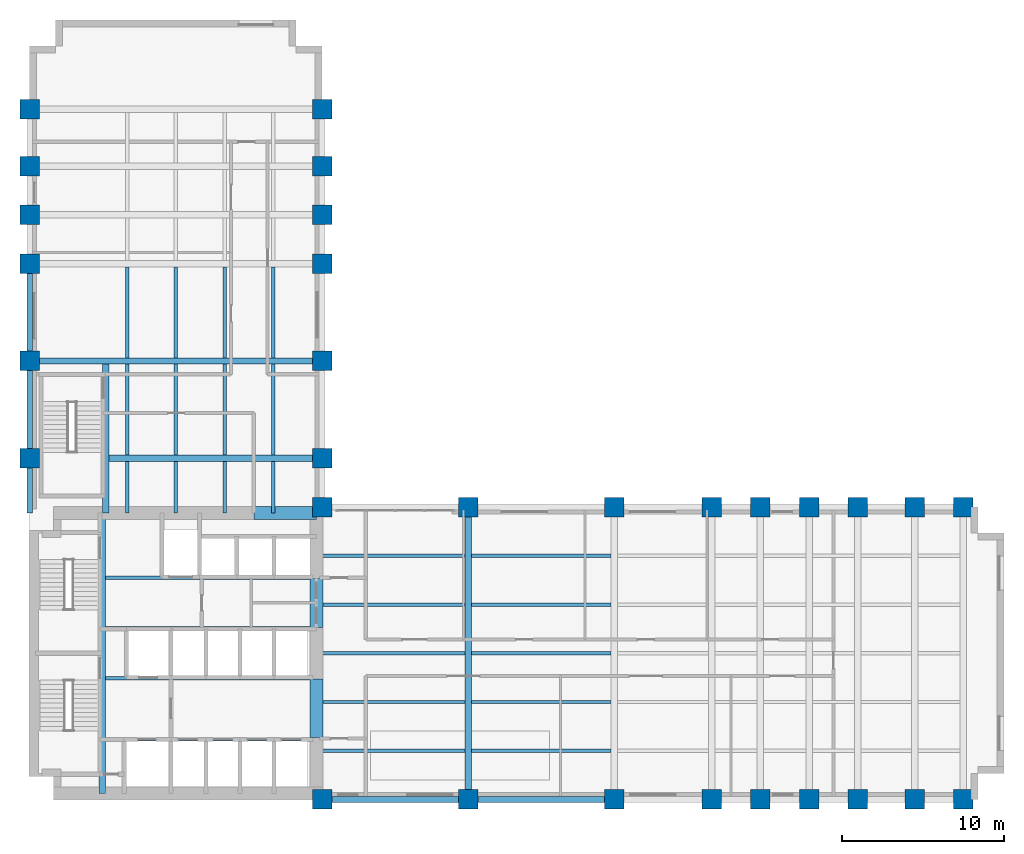
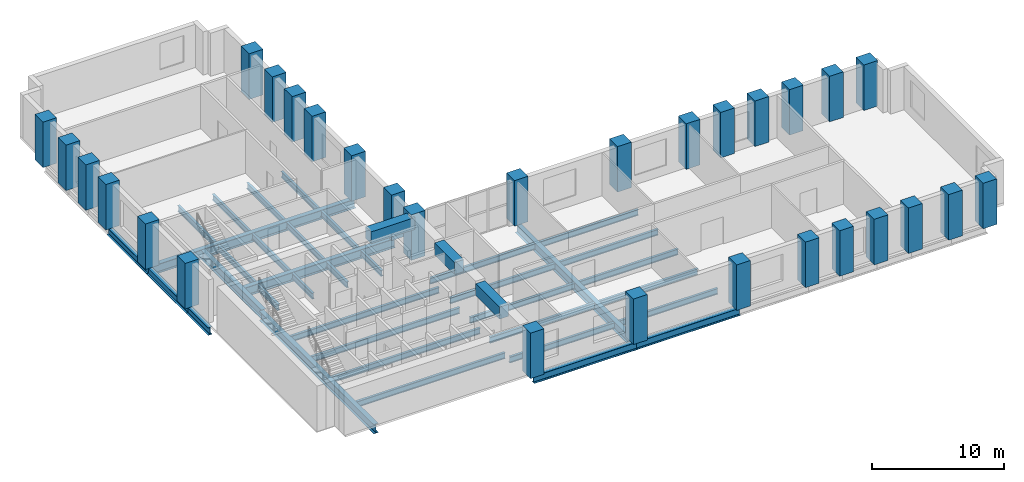
# One storey, part 1 of 9: 39 beams, 30 columns.
"""IFC4 building model written with IfcOpenShell, lengths in metres."""

from ifc_helpers import new_model, si_unit, direction, frame, origin, origin_2d, place, context, subcontext, project, spatial, rectangle, i_section, extrude, material, material_profile, profile_set, type_object, element, save


model = new_model("IFC4")

# Units and contexts
model_context = context("Model", 3, precision=1e-05, world=origin(), true_north=direction((0.0, 1.0)))
body_context = subcontext(model_context, "Body", "Model", "MODEL_VIEW")
ifc_project = project(units=[si_unit("LENGTHUNIT", "METRE"), si_unit("AREAUNIT", "SQUARE_METRE"), si_unit("VOLUMEUNIT", "CUBIC_METRE"), si_unit("PLANEANGLEUNIT", "RADIAN"), si_unit("MASSUNIT", "GRAM", prefix="KILO")], contexts=[model_context])

# Site, building, storey
site_placement = place(None, origin())
site = spatial("IfcSite", under=ifc_project, at=site_placement, CompositionType="ELEMENT")
building_placement = place(site_placement, origin())
building = spatial("IfcBuilding", under=site, at=building_placement, Name="Mawjdan Bourse Tower", CompositionType="ELEMENT")
storey_placement = place(building_placement, frame((0.0, 0.0, 51.0)))
storey = spatial("IfcBuildingStorey", under=building, at=storey_placement, Name="L11", CompositionType="ELEMENT", Elevation=51.0)

# Columns
ifc_material_1 = material(Name="Concrete C80/95", Category="concrete")
ifc_material_profile_1 = material_profile(ifc_material_1, rectangle(XDim=1.199951171875, YDim=1.199951171875, at=origin_2d()), Name="RC1200X1200")
ifc_profile_set_1 = profile_set([ifc_material_profile_1], Name="Concrete C80/95")
column_type = type_object("IfcColumnType", Name="COL-RC1200X1200", PredefinedType="COLUMN", material=ifc_profile_set_1)
for number, where, z_axis, x_axis, name in (
    (1, (24.0, 3.0, 0.0), (0.0, 0.0, 1.0), (1.0, 0.0, 0.0), "L11 Structural Column C-X240-Y30"),
    (2, (24.0, 21.0, 0.0), (0.0, 0.0, 1.0), (1.0, 0.0, 0.0), "L11 Structural Column C-X240-Y210"),
    (3, (33.0, 3.0, 0.0), (0.0, 0.0, 1.0), (1.0, 0.0, 0.0), "L11 Structural Column C-X330-Y30"),
    (4, (33.0, 21.0, 0.0), (0.0, 0.0, 1.0), (1.0, 0.0, 0.0), "L11 Structural Column C-X330-Y210"),
    (5, (42.0, 3.0, 0.0), (0.0, 0.0, 1.0), (1.0, 0.0, 0.0), "L11 Structural Column C-X420-Y30"),
    (6, (42.0, 21.0, 0.0), (0.0, 0.0, 1.0), (1.0, 0.0, 0.0), "L11 Structural Column C-X420-Y210"),
    (7, (48.0, 3.0, 0.0), (0.0, 0.0, 1.0), (1.0, 0.0, 0.0), "L11 Structural Column C-X480-Y30"),
    (8, (48.0, 21.0, 0.0), (0.0, 0.0, 1.0), (1.0, 0.0, 0.0), "L11 Structural Column C-X480-Y210"),
    (9, (51.0, 3.0, 0.0), (0.0, 0.0, 1.0), (1.0, 0.0, 0.0), "L11 Structural Column C-X510-Y30"),
    (10, (51.0, 21.0, 0.0), (0.0, 0.0, 1.0), (1.0, 0.0, 0.0), "L11 Structural Column C-X510-Y210"),
    (11, (54.0, 3.0, 0.0), (0.0, 0.0, 1.0), (1.0, 0.0, 0.0), "L11 Structural Column C-X540-Y30"),
    (12, (54.0, 21.0, 0.0), (0.0, 0.0, 1.0), (1.0, 0.0, 0.0), "L11 Structural Column C-X540-Y210"),
    (13, (57.0, 3.0, 0.0), (0.0, 0.0, 1.0), (1.0, 0.0, 0.0), "L11 Structural Column C-X570-Y30"),
    (14, (57.0, 21.0, 0.0), (0.0, 0.0, 1.0), (1.0, 0.0, 0.0), "L11 Structural Column C-X570-Y210"),
    (15, (60.5, 3.0, 0.0), (0.0, 0.0, 1.0), (1.0, 0.0, 0.0), "L11 Structural Column C-X605-Y30"),
    (16, (60.5, 21.0, 0.0), (0.0, 0.0, 1.0), (1.0, 0.0, 0.0), "L11 Structural Column C-X605-Y210"),
    (17, (63.5, 3.0, 0.0), (0.0, 0.0, 1.0), (1.0, 0.0, 0.0), "L11 Structural Column C-X635-Y30"),
    (18, (63.5, 21.0, 0.0), (0.0, 0.0, 1.0), (1.0, 0.0, 0.0), "L11 Structural Column C-X635-Y210"),
    (19, (6.0, 24.0, 0.0), (0.0, 0.0, 1.0), (1.0, 0.0, 0.0), "L11 Structural Column C-X60-Y240"),
    (20, (24.0, 24.0, 0.0), (0.0, 0.0, 1.0), (1.0, 0.0, 0.0), "L11 Structural Column C-X240-Y240"),
    (21, (6.0, 30.0, 0.0), (0.0, 0.0, 1.0), (1.0, 0.0, 0.0), "L11 Structural Column C-X60-Y300"),
    (22, (24.0, 30.0, 0.0), (0.0, 0.0, 1.0), (1.0, 0.0, 0.0), "L11 Structural Column C-X240-Y300"),
    (23, (6.0, 36.0, 0.0), (0.0, 0.0, 1.0), (1.0, 0.0, 0.0), "L11 Structural Column C-X60-Y360"),
    (24, (24.0, 36.0, 0.0), (0.0, 0.0, 1.0), (1.0, 0.0, 0.0), "L11 Structural Column C-X240-Y360"),
    (25, (6.0, 39.0, 0.0), (0.0, 0.0, 1.0), (1.0, 0.0, 0.0), "L11 Structural Column C-X60-Y390"),
    (26, (24.0, 39.0, 0.0), (0.0, 0.0, 1.0), (1.0, 0.0, 0.0), "L11 Structural Column C-X240-Y390"),
    (27, (6.0, 42.0, 0.0), (0.0, 0.0, 1.0), (1.0, 0.0, 0.0), "L11 Structural Column C-X60-Y420"),
    (28, (24.0, 42.0, 0.0), (0.0, 0.0, 1.0), (1.0, 0.0, 0.0), "L11 Structural Column C-X240-Y420"),
    (29, (6.0, 45.5, 0.0), (0.0, 0.0, 1.0), (1.0, 0.0, 0.0), "L11 Structural Column C-X60-Y455"),
    (30, (24.0, 45.5, 0.0), (0.0, 0.0, 1.0), (1.0, 0.0, 0.0), "L11 Structural Column C-X240-Y455"),
):
    element("IfcColumn", number, at=place(storey_placement, frame(where, z_axis=z_axis, x_axis=x_axis)), inside=storey, type_object=column_type, Name=name, PredefinedType="COLUMN", context=body_context, shape_type="SweptSolid", body=[
        extrude(rectangle(XDim=1.199951171875, YDim=1.199951171875, at=origin_2d()), origin(), (0.0, 0.0, 1.0), 4.199951171875),
    ])

# Beams
ifc_material_2 = material(Name="Structural Steel S355", Category="steel")
ifc_material_profile_2 = material_profile(ifc_material_2, i_section(OverallWidth=0.39892578125, OverallDepth=0.85595703125, WebThickness=0.018310546875, FlangeThickness=0.029296875, FilletRadius=0.0234375, at=origin_2d()), Name="W33X201")
ifc_profile_set_2 = profile_set([ifc_material_profile_2], Name="Structural Steel S355")
beam_type_1 = type_object("IfcBeamType", Name="GRD-W33X201", PredefinedType="BEAM", material=ifc_profile_set_2)
beam_1_placement = place(storey_placement, frame((10.47998046875, 3.35009765625, -0.64794921875), z_axis=(0.0, 1.0, 0.0), x_axis=(-1.0, 0.0, 0.0)))
element("IfcBeam", 31, at=beam_1_placement, inside=storey, type_object=beam_type_1, Name="L11 Core Stair Trimmer Girder 001", PredefinedType="BEAM", context=body_context, shape_type="SweptSolid", body=[
    extrude(i_section(OverallWidth=0.39892578125, OverallDepth=0.85595703125, WebThickness=0.018310546875, FlangeThickness=0.029296875, FilletRadius=0.0234375, at=origin_2d()), origin(), (0.0, 0.0, 1.0), 17.2998046875),
])
beam_2_placement = place(storey_placement, frame((33.0, 3.0, -0.64794921875), z_axis=(0.0, 1.0, 0.0), x_axis=(-1.0, 0.0, 0.0)))
element("IfcBeam", 32, at=beam_2_placement, inside=storey, type_object=beam_type_1, Name="L11 East Wing Clear-Span Girder 002", PredefinedType="BEAM", context=body_context, shape_type="SweptSolid", body=[
    extrude(i_section(OverallWidth=0.39892578125, OverallDepth=0.85595703125, WebThickness=0.018310546875, FlangeThickness=0.029296875, FilletRadius=0.0234375, at=origin_2d()), origin(), (0.0, 0.0, 1.0), 18.0),
])
beam_3_placement = place(storey_placement, frame((10.679931640625, 20.64990234375, -0.64794921875), z_axis=(0.0, 1.0, 0.0), x_axis=(-1.0, 0.0, 0.0)))
element("IfcBeam", 33, at=beam_3_placement, inside=storey, type_object=beam_type_1, Name="L11 North Wing Stair Trimmer Girder 070", PredefinedType="BEAM", context=body_context, shape_type="SweptSolid", body=[
    extrude(i_section(OverallWidth=0.39892578125, OverallDepth=0.85595703125, WebThickness=0.018310546875, FlangeThickness=0.029296875, FilletRadius=0.0234375, at=origin_2d()), origin(), (0.0, 0.0, 1.0), 9.152587890625),
])
beam_4_placement = place(storey_placement, frame((10.87744140625, 24.0, -0.64794921875), z_axis=(1.0, 0.0, 0.0), x_axis=(0.0, 1.0, 0.0)))
element("IfcBeam", 34, at=beam_4_placement, inside=storey, type_object=beam_type_1, Name="L11 North Wing Clear-Span Girder 071", PredefinedType="BEAM", context=body_context, shape_type="SweptSolid", body=[
    extrude(i_section(OverallWidth=0.39892578125, OverallDepth=0.85595703125, WebThickness=0.018310546875, FlangeThickness=0.029296875, FilletRadius=0.0234375, at=origin_2d()), origin(), (0.0, 0.0, 1.0), 13.12255859375),
])
beam_5_placement = place(storey_placement, frame((6.0, 30.0, -0.64794921875), z_axis=(1.0, 0.0, 0.0), x_axis=(0.0, 1.0, 0.0)))
element("IfcBeam", 35, at=beam_5_placement, inside=storey, type_object=beam_type_1, Name="L11 North Wing Clear-Span Girder 072", PredefinedType="BEAM", context=body_context, shape_type="SweptSolid", body=[
    extrude(i_section(OverallWidth=0.39892578125, OverallDepth=0.85595703125, WebThickness=0.018310546875, FlangeThickness=0.029296875, FilletRadius=0.0234375, at=origin_2d()), origin(), (0.0, 0.0, 1.0), 18.0),
])
ifc_material_profile_3 = material_profile(ifc_material_2, i_section(OverallWidth=0.2119140625, OverallDepth=0.5439453125, WebThickness=0.01318359375, FlangeThickness=0.021240234375, FilletRadius=0.01708984375, at=origin_2d()), Name="W21X83")
ifc_profile_set_3 = profile_set([ifc_material_profile_3], Name="Structural Steel S355")
beam_type_2 = type_object("IfcBeamType", Name="JST-W21X83", PredefinedType="JOIST", material=ifc_profile_set_3)
beam_6_placement = place(storey_placement, frame((23.64990234375, 6.0, -0.491943359375), z_axis=(1.0, 0.0, 0.0), x_axis=(0.0, 1.0, 0.0)))
element("IfcBeam", 36, at=beam_6_placement, inside=storey, type_object=beam_type_2, Name="L11 East Wing Composite Joist 026", PredefinedType="JOIST", context=body_context, shape_type="SweptSolid", body=[
    extrude(i_section(OverallWidth=0.2119140625, OverallDepth=0.5439453125, WebThickness=0.01318359375, FlangeThickness=0.021240234375, FilletRadius=0.01708984375, at=origin_2d()), origin(), (0.0, 0.0, 1.0), 9.152587890625),
])
beam_7_placement = place(storey_placement, frame((33.197509765625, 6.0, -0.491943359375), z_axis=(1.0, 0.0, 0.0), x_axis=(0.0, 1.0, 0.0)))
element("IfcBeam", 37, at=beam_7_placement, inside=storey, type_object=beam_type_2, Name="L11 East Wing Composite Joist 027", PredefinedType="JOIST", context=body_context, shape_type="SweptSolid", body=[
    extrude(i_section(OverallWidth=0.2119140625, OverallDepth=0.5439453125, WebThickness=0.01318359375, FlangeThickness=0.021240234375, FilletRadius=0.01708984375, at=origin_2d()), origin(), (0.0, 0.0, 1.0), 8.60498046875),
])
beam_8_placement = place(storey_placement, frame((23.64990234375, 9.0, -0.491943359375), z_axis=(1.0, 0.0, 0.0), x_axis=(0.0, 1.0, 0.0)))
element("IfcBeam", 38, at=beam_8_placement, inside=storey, type_object=beam_type_2, Name="L11 East Wing Composite Joist 034", PredefinedType="JOIST", context=body_context, shape_type="SweptSolid", body=[
    extrude(i_section(OverallWidth=0.2119140625, OverallDepth=0.5439453125, WebThickness=0.01318359375, FlangeThickness=0.021240234375, FilletRadius=0.01708984375, at=origin_2d()), origin(), (0.0, 0.0, 1.0), 9.152587890625),
])
beam_9_placement = place(storey_placement, frame((33.197509765625, 9.0, -0.491943359375), z_axis=(1.0, 0.0, 0.0), x_axis=(0.0, 1.0, 0.0)))
element("IfcBeam", 39, at=beam_9_placement, inside=storey, type_object=beam_type_2, Name="L11 East Wing Composite Joist 035", PredefinedType="JOIST", context=body_context, shape_type="SweptSolid", body=[
    extrude(i_section(OverallWidth=0.2119140625, OverallDepth=0.5439453125, WebThickness=0.01318359375, FlangeThickness=0.021240234375, FilletRadius=0.01708984375, at=origin_2d()), origin(), (0.0, 0.0, 1.0), 8.60498046875),
])
beam_10_placement = place(storey_placement, frame((23.64990234375, 12.0, -0.491943359375), z_axis=(1.0, 0.0, 0.0), x_axis=(0.0, 1.0, 0.0)))
element("IfcBeam", 40, at=beam_10_placement, inside=storey, type_object=beam_type_2, Name="L11 East Wing Composite Joist 042", PredefinedType="JOIST", context=body_context, shape_type="SweptSolid", body=[
    extrude(i_section(OverallWidth=0.2119140625, OverallDepth=0.5439453125, WebThickness=0.01318359375, FlangeThickness=0.021240234375, FilletRadius=0.01708984375, at=origin_2d()), origin(), (0.0, 0.0, 1.0), 9.152587890625),
])
beam_11_placement = place(storey_placement, frame((33.197509765625, 12.0, -0.491943359375), z_axis=(1.0, 0.0, 0.0), x_axis=(0.0, 1.0, 0.0)))
element("IfcBeam", 41, at=beam_11_placement, inside=storey, type_object=beam_type_2, Name="L11 East Wing Composite Joist 043", PredefinedType="JOIST", context=body_context, shape_type="SweptSolid", body=[
    extrude(i_section(OverallWidth=0.2119140625, OverallDepth=0.5439453125, WebThickness=0.01318359375, FlangeThickness=0.021240234375, FilletRadius=0.01708984375, at=origin_2d()), origin(), (0.0, 0.0, 1.0), 8.60498046875),
])
beam_12_placement = place(storey_placement, frame((23.64990234375, 15.0, -0.491943359375), z_axis=(1.0, 0.0, 0.0), x_axis=(0.0, 1.0, 0.0)))
element("IfcBeam", 42, at=beam_12_placement, inside=storey, type_object=beam_type_2, Name="L11 East Wing Composite Joist 050", PredefinedType="JOIST", context=body_context, shape_type="SweptSolid", body=[
    extrude(i_section(OverallWidth=0.2119140625, OverallDepth=0.5439453125, WebThickness=0.01318359375, FlangeThickness=0.021240234375, FilletRadius=0.01708984375, at=origin_2d()), origin(), (0.0, 0.0, 1.0), 9.152587890625),
])
beam_13_placement = place(storey_placement, frame((33.197509765625, 15.0, -0.491943359375), z_axis=(1.0, 0.0, 0.0), x_axis=(0.0, 1.0, 0.0)))
element("IfcBeam", 43, at=beam_13_placement, inside=storey, type_object=beam_type_2, Name="L11 East Wing Composite Joist 051", PredefinedType="JOIST", context=body_context, shape_type="SweptSolid", body=[
    extrude(i_section(OverallWidth=0.2119140625, OverallDepth=0.5439453125, WebThickness=0.01318359375, FlangeThickness=0.021240234375, FilletRadius=0.01708984375, at=origin_2d()), origin(), (0.0, 0.0, 1.0), 8.60498046875),
])
beam_14_placement = place(storey_placement, frame((23.64990234375, 18.0, -0.491943359375), z_axis=(1.0, 0.0, 0.0), x_axis=(0.0, 1.0, 0.0)))
element("IfcBeam", 44, at=beam_14_placement, inside=storey, type_object=beam_type_2, Name="L11 East Wing Composite Joist 058", PredefinedType="JOIST", context=body_context, shape_type="SweptSolid", body=[
    extrude(i_section(OverallWidth=0.2119140625, OverallDepth=0.5439453125, WebThickness=0.01318359375, FlangeThickness=0.021240234375, FilletRadius=0.01708984375, at=origin_2d()), origin(), (0.0, 0.0, 1.0), 9.152587890625),
])
beam_15_placement = place(storey_placement, frame((33.197509765625, 18.0, -0.491943359375), z_axis=(1.0, 0.0, 0.0), x_axis=(0.0, 1.0, 0.0)))
element("IfcBeam", 45, at=beam_15_placement, inside=storey, type_object=beam_type_2, Name="L11 East Wing Composite Joist 059", PredefinedType="JOIST", context=body_context, shape_type="SweptSolid", body=[
    extrude(i_section(OverallWidth=0.2119140625, OverallDepth=0.5439453125, WebThickness=0.01318359375, FlangeThickness=0.021240234375, FilletRadius=0.01708984375, at=origin_2d()), origin(), (0.0, 0.0, 1.0), 8.60498046875),
])
for number, where, z_axis, x_axis, name in (
    (46, (10.677490234375, 6.699951171875, -0.491943359375), (1.0, 0.0, 0.0), (0.0, 1.0, 0.0), "L11 Core Floor Joist 066"),
    (47, (10.677490234375, 10.449951171875, -0.491943359375), (1.0, 0.0, 0.0), (0.0, 1.0, 0.0), "L11 Core Floor Joist 067"),
    (48, (10.677490234375, 13.550048828125, -0.491943359375), (1.0, 0.0, 0.0), (0.0, 1.0, 0.0), "L11 Core Floor Joist 068"),
    (49, (10.677490234375, 16.64990234375, -0.491943359375), (1.0, 0.0, 0.0), (0.0, 1.0, 0.0), "L11 Core Floor Joist 069"),
):
    element("IfcBeam", number, at=place(storey_placement, frame(where, z_axis=z_axis, x_axis=x_axis)), inside=storey, type_object=beam_type_2, Name=name, PredefinedType="JOIST", context=body_context, shape_type="SweptSolid", body=[
        extrude(i_section(OverallWidth=0.2119140625, OverallDepth=0.5439453125, WebThickness=0.01318359375, FlangeThickness=0.021240234375, FilletRadius=0.01708984375, at=origin_2d()), origin(), (0.0, 0.0, 1.0), 12.972412109375),
    ])
beam_16_placement = place(storey_placement, frame((12.0, 20.64990234375, -0.491943359375), z_axis=(0.0, 1.0, 0.0), x_axis=(-1.0, 0.0, 0.0)))
element("IfcBeam", 50, at=beam_16_placement, inside=storey, type_object=beam_type_2, Name="L11 North Wing Composite Joist 089", PredefinedType="JOIST", context=body_context, shape_type="SweptSolid", body=[
    extrude(i_section(OverallWidth=0.2119140625, OverallDepth=0.5439453125, WebThickness=0.01318359375, FlangeThickness=0.021240234375, FilletRadius=0.01708984375, at=origin_2d()), origin(), (0.0, 0.0, 1.0), 3.152587890625),
])
for number, where, z_axis, x_axis, name in (
    (51, (12.0, 24.197509765625, -0.491943359375), (0.0, 1.0, 0.0), (-1.0, 0.0, 0.0), "L11 North Wing Composite Joist 090"),
    (52, (12.0, 30.197509765625, -0.491943359375), (0.0, 1.0, 0.0), (-1.0, 0.0, 0.0), "L11 North Wing Composite Joist 091"),
):
    element("IfcBeam", number, at=place(storey_placement, frame(where, z_axis=z_axis, x_axis=x_axis)), inside=storey, type_object=beam_type_2, Name=name, PredefinedType="JOIST", context=body_context, shape_type="SweptSolid", body=[
        extrude(i_section(OverallWidth=0.2119140625, OverallDepth=0.5439453125, WebThickness=0.01318359375, FlangeThickness=0.021240234375, FilletRadius=0.01708984375, at=origin_2d()), origin(), (0.0, 0.0, 1.0), 5.60498046875),
    ])
beam_17_placement = place(storey_placement, frame((15.0, 20.64990234375, -0.491943359375), z_axis=(0.0, 1.0, 0.0), x_axis=(-1.0, 0.0, 0.0)))
element("IfcBeam", 53, at=beam_17_placement, inside=storey, type_object=beam_type_2, Name="L11 North Wing Composite Joist 095", PredefinedType="JOIST", context=body_context, shape_type="SweptSolid", body=[
    extrude(i_section(OverallWidth=0.2119140625, OverallDepth=0.5439453125, WebThickness=0.01318359375, FlangeThickness=0.021240234375, FilletRadius=0.01708984375, at=origin_2d()), origin(), (0.0, 0.0, 1.0), 3.152587890625),
])
for number, where, z_axis, x_axis, name in (
    (54, (15.0, 24.197509765625, -0.491943359375), (0.0, 1.0, 0.0), (-1.0, 0.0, 0.0), "L11 North Wing Composite Joist 096"),
    (55, (15.0, 30.197509765625, -0.491943359375), (0.0, 1.0, 0.0), (-1.0, 0.0, 0.0), "L11 North Wing Composite Joist 097"),
):
    element("IfcBeam", number, at=place(storey_placement, frame(where, z_axis=z_axis, x_axis=x_axis)), inside=storey, type_object=beam_type_2, Name=name, PredefinedType="JOIST", context=body_context, shape_type="SweptSolid", body=[
        extrude(i_section(OverallWidth=0.2119140625, OverallDepth=0.5439453125, WebThickness=0.01318359375, FlangeThickness=0.021240234375, FilletRadius=0.01708984375, at=origin_2d()), origin(), (0.0, 0.0, 1.0), 5.60498046875),
    ])
beam_18_placement = place(storey_placement, frame((18.0, 20.64990234375, -0.491943359375), z_axis=(0.0, 1.0, 0.0), x_axis=(-1.0, 0.0, 0.0)))
element("IfcBeam", 56, at=beam_18_placement, inside=storey, type_object=beam_type_2, Name="L11 North Wing Composite Joist 101", PredefinedType="JOIST", context=body_context, shape_type="SweptSolid", body=[
    extrude(i_section(OverallWidth=0.2119140625, OverallDepth=0.5439453125, WebThickness=0.01318359375, FlangeThickness=0.021240234375, FilletRadius=0.01708984375, at=origin_2d()), origin(), (0.0, 0.0, 1.0), 3.152587890625),
])
for number, where, z_axis, x_axis, name in (
    (57, (18.0, 24.197509765625, -0.491943359375), (0.0, 1.0, 0.0), (-1.0, 0.0, 0.0), "L11 North Wing Composite Joist 102"),
    (58, (18.0, 30.197509765625, -0.491943359375), (0.0, 1.0, 0.0), (-1.0, 0.0, 0.0), "L11 North Wing Composite Joist 103"),
):
    element("IfcBeam", number, at=place(storey_placement, frame(where, z_axis=z_axis, x_axis=x_axis)), inside=storey, type_object=beam_type_2, Name=name, PredefinedType="JOIST", context=body_context, shape_type="SweptSolid", body=[
        extrude(i_section(OverallWidth=0.2119140625, OverallDepth=0.5439453125, WebThickness=0.01318359375, FlangeThickness=0.021240234375, FilletRadius=0.01708984375, at=origin_2d()), origin(), (0.0, 0.0, 1.0), 5.60498046875),
    ])
beam_19_placement = place(storey_placement, frame((21.0, 20.64990234375, -0.491943359375), z_axis=(0.0, 1.0, 0.0), x_axis=(-1.0, 0.0, 0.0)))
element("IfcBeam", 59, at=beam_19_placement, inside=storey, type_object=beam_type_2, Name="L11 North Wing Composite Joist 107", PredefinedType="JOIST", context=body_context, shape_type="SweptSolid", body=[
    extrude(i_section(OverallWidth=0.2119140625, OverallDepth=0.5439453125, WebThickness=0.01318359375, FlangeThickness=0.021240234375, FilletRadius=0.01708984375, at=origin_2d()), origin(), (0.0, 0.0, 1.0), 3.152587890625),
])
for number, where, z_axis, x_axis, name in (
    (60, (21.0, 24.197509765625, -0.491943359375), (0.0, 1.0, 0.0), (-1.0, 0.0, 0.0), "L11 North Wing Composite Joist 108"),
    (61, (21.0, 30.197509765625, -0.491943359375), (0.0, 1.0, 0.0), (-1.0, 0.0, 0.0), "L11 North Wing Composite Joist 109"),
):
    element("IfcBeam", number, at=place(storey_placement, frame(where, z_axis=z_axis, x_axis=x_axis)), inside=storey, type_object=beam_type_2, Name=name, PredefinedType="JOIST", context=body_context, shape_type="SweptSolid", body=[
        extrude(i_section(OverallWidth=0.2119140625, OverallDepth=0.5439453125, WebThickness=0.01318359375, FlangeThickness=0.021240234375, FilletRadius=0.01708984375, at=origin_2d()), origin(), (0.0, 0.0, 1.0), 5.60498046875),
    ])
ifc_material_3 = material(Name="Concrete C70/85", Category="concrete")
ifc_material_profile_4 = material_profile(ifc_material_3, rectangle(XDim=0.800048828125, YDim=1.10009765625, at=origin_2d()), Name="RCB800X1100")
ifc_profile_set_4 = profile_set([ifc_material_profile_4], Name="Concrete C70/85")
beam_type_3 = type_object("IfcBeamType", Name="LNT-RCB800X1100", PredefinedType="LINTEL", material=ifc_profile_set_4)
beam_20_placement = place(storey_placement, frame((23.64990234375, 6.800048828125, 3.429931640625), z_axis=(0.0, 1.0, 0.0), x_axis=(-1.0, 0.0, 0.0)))
element("IfcBeam", 62, at=beam_20_placement, inside=storey, type_object=beam_type_3, Name="L11 Coupled Core Lintel CB-E1", PredefinedType="LINTEL", context=body_context, shape_type="SweptSolid", body=[
    extrude(rectangle(XDim=0.800048828125, YDim=1.10009765625, at=origin_2d()), origin(), (0.0, 0.0, 1.0), 3.599853515625),
])
beam_21_placement = place(storey_placement, frame((23.64990234375, 13.60009765625, 3.429931640625), z_axis=(0.0, 1.0, 0.0), x_axis=(-1.0, 0.0, 0.0)))
element("IfcBeam", 63, at=beam_21_placement, inside=storey, type_object=beam_type_3, Name="L11 Coupled Core Lintel CB-E2", PredefinedType="LINTEL", context=body_context, shape_type="SweptSolid", body=[
    extrude(rectangle(XDim=0.800048828125, YDim=1.10009765625, at=origin_2d()), origin(), (0.0, 0.0, 1.0), 3.0),
])
beam_22_placement = place(storey_placement, frame((19.800048828125, 20.64990234375, 3.429931640625), z_axis=(1.0, 0.0, 0.0), x_axis=(0.0, 1.0, 0.0)))
element("IfcBeam", 64, at=beam_22_placement, inside=storey, type_object=beam_type_3, Name="L11 Coupled Core Lintel CB-N1", PredefinedType="LINTEL", context=body_context, shape_type="SweptSolid", body=[
    extrude(rectangle(XDim=0.800048828125, YDim=1.10009765625, at=origin_2d()), origin(), (0.0, 0.0, 1.0), 3.849853515625),
])
ifc_material_profile_5 = material_profile(ifc_material_2, i_section(OverallWidth=0.35498046875, OverallDepth=0.696044921875, WebThickness=0.015380859375, FlangeThickness=0.02490234375, FilletRadius=0.019775390625, at=origin_2d()), Name="W27X146")
ifc_profile_set_5 = profile_set([ifc_material_profile_5], Name="Structural Steel S355")
beam_type_4 = type_object("IfcBeamType", Name="SPN-W27X146", PredefinedType="SPANDREL", material=ifc_profile_set_5)
for number, where, z_axis, x_axis, name in (
    (65, (24.0, 3.0, -0.568115234375), (1.0, 0.0, 0.0), (0.0, 1.0, 0.0), "L11 Perimeter Masonry-Shelf Spandrel 010"),
    (66, (33.0, 3.0, -0.568115234375), (1.0, 0.0, 0.0), (0.0, 1.0, 0.0), "L11 Perimeter Masonry-Shelf Spandrel 011"),
):
    element("IfcBeam", number, at=place(storey_placement, frame(where, z_axis=z_axis, x_axis=x_axis)), inside=storey, type_object=beam_type_4, Name=name, PredefinedType="SPANDREL", context=body_context, shape_type="SweptSolid", body=[
        extrude(i_section(OverallWidth=0.35498046875, OverallDepth=0.696044921875, WebThickness=0.015380859375, FlangeThickness=0.02490234375, FilletRadius=0.019775390625, at=origin_2d()), origin(), (0.0, 0.0, 1.0), 9.0),
    ])
beam_23_placement = place(storey_placement, frame((6.0, 20.64990234375, -0.568115234375), z_axis=(0.0, 1.0, 0.0), x_axis=(-1.0, 0.0, 0.0)))
element("IfcBeam", 67, at=beam_23_placement, inside=storey, type_object=beam_type_4, Name="L11 North Wing Spandrel 077", PredefinedType="SPANDREL", context=body_context, shape_type="SweptSolid", body=[
    extrude(i_section(OverallWidth=0.35498046875, OverallDepth=0.696044921875, WebThickness=0.015380859375, FlangeThickness=0.02490234375, FilletRadius=0.019775390625, at=origin_2d()), origin(), (0.0, 0.0, 1.0), 3.35009765625),
])
for number, where, z_axis, x_axis, name in (
    (68, (6.0, 24.0, -0.568115234375), (0.0, 1.0, 0.0), (-1.0, 0.0, 0.0), "L11 North Wing Spandrel 078"),
    (69, (6.0, 30.0, -0.568115234375), (0.0, 1.0, 0.0), (-1.0, 0.0, 0.0), "L11 North Wing Spandrel 079"),
):
    element("IfcBeam", number, at=place(storey_placement, frame(where, z_axis=z_axis, x_axis=x_axis)), inside=storey, type_object=beam_type_4, Name=name, PredefinedType="SPANDREL", context=body_context, shape_type="SweptSolid", body=[
        extrude(i_section(OverallWidth=0.35498046875, OverallDepth=0.696044921875, WebThickness=0.015380859375, FlangeThickness=0.02490234375, FilletRadius=0.019775390625, at=origin_2d()), origin(), (0.0, 0.0, 1.0), 6.0),
    ])

save(model, "model.ifc")
